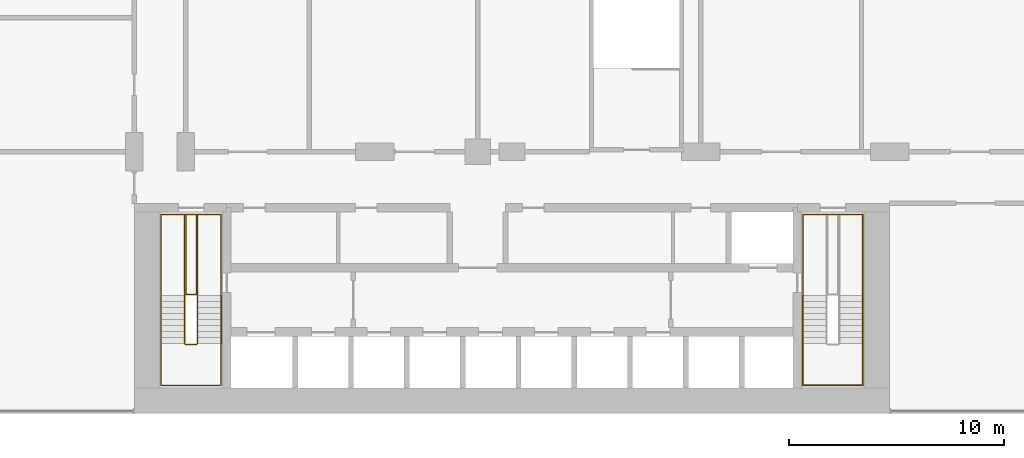
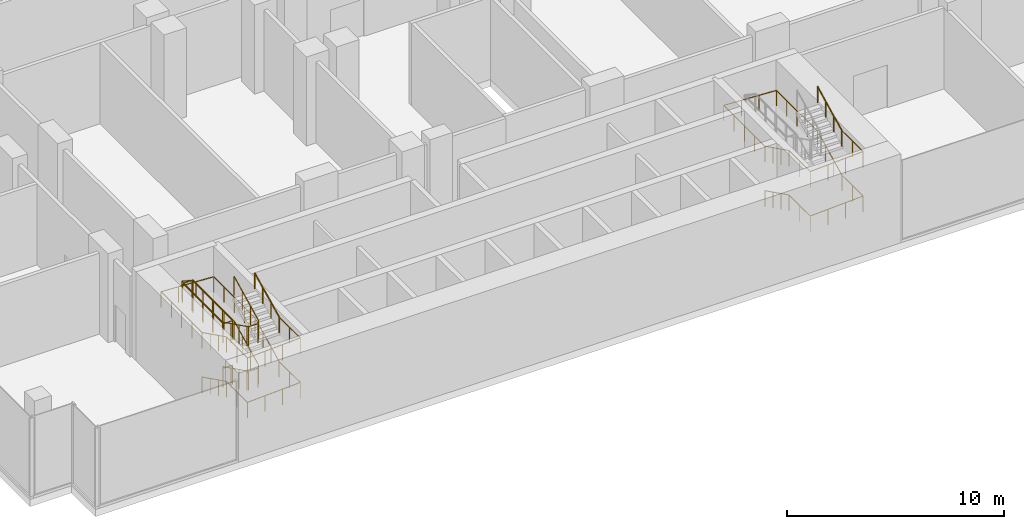
# One storey, part 24 of 27: 7 railings.
"""IFC4 building model written with IfcOpenShell, lengths in metres."""

from ifc_helpers import new_model, si_unit, direction, frame, origin, origin_2d, place, context, subcontext, project, spatial, circle, extrude, material, type_object, element, save


model = new_model("IFC4")

# Units and contexts
model_context = context("Model", 3, precision=1e-05, world=origin(), true_north=direction((0.0, 1.0)))
body_context = subcontext(model_context, "Body", "Model", "MODEL_VIEW")
ifc_project = project(units=[si_unit("LENGTHUNIT", "METRE"), si_unit("AREAUNIT", "SQUARE_METRE"), si_unit("VOLUMEUNIT", "CUBIC_METRE"), si_unit("PLANEANGLEUNIT", "RADIAN"), si_unit("MASSUNIT", "GRAM", prefix="KILO")], contexts=[model_context])

# Site, building, storey
site_placement = place(None, origin())
site = spatial("IfcSite", under=ifc_project, at=site_placement, CompositionType="ELEMENT")
building_placement = place(site_placement, origin())
building = spatial("IfcBuilding", under=site, at=building_placement, Name="Kemantara Hotel Tower", CompositionType="ELEMENT")
storey_placement = place(building_placement, frame((0.0, 0.0, 29.0)))
storey = spatial("IfcBuildingStorey", under=building, at=storey_placement, Name="L05", CompositionType="ELEMENT", Elevation=29.0)

# Railings
ifc_material = material(Name="Stainless steel balustrade", Category="steel")
railing_type_1 = type_object("IfcRailingType", Name="Stair guard 1100 mm", PredefinedType="GUARDRAIL", material=ifc_material)
railing_1_placement = place(storey_placement, frame((12.75, 5.5, 5.0)))
element("IfcRailing", 1, at=railing_1_placement, inside=storey, type_object=railing_type_1, Name="L05 ST1 stair guard 1", PredefinedType="GUARDRAIL", context=body_context, shape_type="SweptSolid", body=[
    extrude(circle(Radius=0.02392578125, at=origin_2d()), frame((0.0, 0.0, 1.076171875), z_axis=(0.0, -0.895848192791, -0.444360231651), x_axis=(1.0, 0.0, 0.0)), (0.0, 0.0, 1.0), 2.50048828125),
    extrude(circle(Radius=0.02392578125, at=origin_2d()), frame((0.0, -2.239990234375, -0.03515625), z_axis=(-0.321014310373, -0.321014310373, -0.891010451718), x_axis=(0.707106781187, -0.707106781187, 0.0)), (0.0, 0.0, 1.0), 0.156005859375),
    extrude(circle(Radius=0.02392578125, at=origin_2d()), frame((-0.050048828125, -2.2900390625, -0.173828125), z_axis=(-1.0, 0.0, 0.0), x_axis=(0.0, -1.0, 0.0)), (0.0, 0.0, 1.0), 0.5),
    extrude(circle(Radius=0.02392578125, at=origin_2d()), frame((-0.550048828125, -2.2900390625, -0.173828125), z_axis=(-0.707106781187, 0.707106781187, 0.0), x_axis=(-0.707106781187, -0.707106781187, 0.0)), (0.0, 0.0, 1.0), 0.07080078125),
    extrude(circle(Radius=0.02392578125, at=origin_2d()), frame((-0.60009765625, -2.239990234375, -0.173828125), z_axis=(0.0, 0.895848192791, -0.444360231651), x_axis=(-1.0, 0.0, 0.0)), (0.0, 0.0, 1.0), 2.50048828125),
    extrude(circle(Radius=0.02392578125, at=origin_2d()), frame((-0.60009765625, 0.0, -1.28515625), z_axis=(0.0, 1.0, 0.0), x_axis=(-1.0, 0.0, 0.0)), (0.0, 0.0, 1.0), 3.780029296875),
    extrude(circle(Radius=0.02392578125, at=origin_2d()), frame((-0.60009765625, 3.780029296875, -1.28515625), z_axis=(0.969557479204, 0.0, -0.244863828525), x_axis=(0.0, 1.0, 0.0)), (0.0, 0.0, 1.0), 0.5673828125),
    extrude(circle(Radius=0.02392578125, at=origin_2d()), frame((-0.050048828125, 3.780029296875, -1.423828125), z_axis=(0.0, -1.0, 0.0), x_axis=(1.0, 0.0, 0.0)), (0.0, 0.0, 1.0), 3.72998046875),
    extrude(circle(Radius=0.02392578125, at=origin_2d()), frame((-0.050048828125, 0.050048828125, -1.423828125), z_axis=(-1.0, 0.0, 0.0), x_axis=(0.0, -1.0, 0.0)), (0.0, 0.0, 1.0), 0.5),
    extrude(circle(Radius=0.02392578125, at=origin_2d()), frame((-0.550048828125, 0.050048828125, -1.423828125), z_axis=(0.0, 1.0, 0.0), x_axis=(-1.0, 0.0, 0.0)), (0.0, 0.0, 1.0), 3.72998046875),
    extrude(circle(Radius=0.02392578125, at=origin_2d()), frame((-0.550048828125, 3.780029296875, -1.423828125), z_axis=(1.0, 0.0, 0.0), x_axis=(0.0, 1.0, 0.0)), (0.0, 0.0, 1.0), 0.550048828125),
    extrude(circle(Radius=0.02392578125, at=origin_2d()), frame((0.0, 3.780029296875, -1.423828125), z_axis=(0.0, -1.0, 0.0), x_axis=(1.0, 0.0, 0.0)), (0.0, 0.0, 1.0), 3.780029296875),
    extrude(circle(Radius=0.02392578125, at=origin_2d()), frame((0.0, 0.0, -1.423828125), z_axis=(0.0, -0.895848192791, -0.444360231651), x_axis=(1.0, 0.0, 0.0)), (0.0, 0.0, 1.0), 2.50048828125),
    extrude(circle(Radius=0.02392578125, at=origin_2d()), frame((0.0, -2.239990234375, -2.53515625), z_axis=(-0.321014310373, -0.321014310373, -0.891010451718), x_axis=(0.707106781187, -0.707106781187, 0.0)), (0.0, 0.0, 1.0), 0.156005859375),
    extrude(circle(Radius=0.02392578125, at=origin_2d()), frame((-0.050048828125, -2.2900390625, -2.673828125), z_axis=(-1.0, 0.0, 0.0), x_axis=(0.0, -1.0, 0.0)), (0.0, 0.0, 1.0), 0.5),
    extrude(circle(Radius=0.02392578125, at=origin_2d()), frame((-0.550048828125, -2.2900390625, -2.673828125), z_axis=(-0.707106781187, 0.707106781187, 0.0), x_axis=(-0.707106781187, -0.707106781187, 0.0)), (0.0, 0.0, 1.0), 0.07080078125),
    extrude(circle(Radius=0.02392578125, at=origin_2d()), frame((-0.60009765625, -2.239990234375, -2.673828125), z_axis=(0.0, 0.895848192791, -0.444360231651), x_axis=(-1.0, 0.0, 0.0)), (0.0, 0.0, 1.0), 2.50048828125),
    extrude(circle(Radius=0.02392578125, at=origin_2d()), frame((-0.60009765625, 0.0, -3.78515625), z_axis=(0.321014310373, 0.321014310373, -0.891010451718), x_axis=(-0.707106781187, 0.707106781187, 0.0)), (0.0, 0.0, 1.0), 0.156005859375),
    extrude(circle(Radius=0.02392578125, at=origin_2d()), frame((-0.550048828125, 0.050048828125, -3.923828125), z_axis=(1.0, 0.0, 0.0), x_axis=(0.0, 1.0, 0.0)), (0.0, 0.0, 1.0), 0.5),
    extrude(circle(Radius=0.02099609375, at=origin_2d()), origin(), (0.0, 0.0, 1.0), 1.052001953125),
    extrude(circle(Radius=0.02099609375, at=origin_2d()), frame((0.0, -0.74658203125, -0.370361328125)), (0.0, 0.0, 1.0), 1.052001953125),
    extrude(circle(Radius=0.02099609375, at=origin_2d()), frame((0.0, -1.493408203125, -0.74072265625)), (0.0, 0.0, 1.0), 1.052001953125),
    extrude(circle(Radius=0.02099609375, at=origin_2d()), frame((0.0, -2.239990234375, -1.111083984375)), (0.0, 0.0, 1.0), 1.052001953125),
    extrude(circle(Radius=0.02099609375, at=origin_2d()), frame((-0.050048828125, -2.2900390625, -1.25)), (0.0, 0.0, 1.0), 1.052001953125),
    extrude(circle(Radius=0.02099609375, at=origin_2d()), frame((-0.550048828125, -2.2900390625, -1.25)), (0.0, 0.0, 1.0), 1.052001953125),
    extrude(circle(Radius=0.02099609375, at=origin_2d()), frame((-0.60009765625, -2.239990234375, -1.25)), (0.0, 0.0, 1.0), 1.052001953125),
    extrude(circle(Radius=0.02099609375, at=origin_2d()), frame((-0.60009765625, -1.493408203125, -1.620361328125)), (0.0, 0.0, 1.0), 1.052001953125),
    extrude(circle(Radius=0.02099609375, at=origin_2d()), frame((-0.60009765625, -0.74658203125, -1.99072265625)), (0.0, 0.0, 1.0), 1.052001953125),
    extrude(circle(Radius=0.02099609375, at=origin_2d()), frame((-0.60009765625, 0.0, -2.361083984375)), (0.0, 0.0, 1.0), 1.052001953125),
    extrude(circle(Radius=0.02099609375, at=origin_2d()), frame((-0.60009765625, 0.945068359375, -2.361083984375)), (0.0, 0.0, 1.0), 1.052001953125),
    extrude(circle(Radius=0.02099609375, at=origin_2d()), frame((-0.60009765625, 1.89013671875, -2.361083984375)), (0.0, 0.0, 1.0), 1.052001953125),
    extrude(circle(Radius=0.02099609375, at=origin_2d()), frame((-0.60009765625, 2.8349609375, -2.361083984375)), (0.0, 0.0, 1.0), 1.052001953125),
    extrude(circle(Radius=0.02099609375, at=origin_2d()), frame((-0.60009765625, 3.780029296875, -2.361083984375)), (0.0, 0.0, 1.0), 1.052001953125),
    extrude(circle(Radius=0.02099609375, at=origin_2d()), frame((-0.050048828125, 3.780029296875, -2.5)), (0.0, 0.0, 1.0), 1.052001953125),
    extrude(circle(Radius=0.02099609375, at=origin_2d()), frame((-0.050048828125, 2.84765625, -2.5)), (0.0, 0.0, 1.0), 1.052001953125),
    extrude(circle(Radius=0.02099609375, at=origin_2d()), frame((-0.050048828125, 1.9150390625, -2.5)), (0.0, 0.0, 1.0), 1.052001953125),
    extrude(circle(Radius=0.02099609375, at=origin_2d()), frame((-0.050048828125, 0.982421875, -2.5)), (0.0, 0.0, 1.0), 1.052001953125),
    extrude(circle(Radius=0.02099609375, at=origin_2d()), frame((-0.050048828125, 0.050048828125, -2.5)), (0.0, 0.0, 1.0), 1.052001953125),
    extrude(circle(Radius=0.02099609375, at=origin_2d()), frame((-0.550048828125, 0.050048828125, -2.5)), (0.0, 0.0, 1.0), 1.052001953125),
    extrude(circle(Radius=0.02099609375, at=origin_2d()), frame((-0.550048828125, 0.982421875, -2.5)), (0.0, 0.0, 1.0), 1.052001953125),
    extrude(circle(Radius=0.02099609375, at=origin_2d()), frame((-0.550048828125, 1.9150390625, -2.5)), (0.0, 0.0, 1.0), 1.052001953125),
    extrude(circle(Radius=0.02099609375, at=origin_2d()), frame((-0.550048828125, 2.84765625, -2.5)), (0.0, 0.0, 1.0), 1.052001953125),
    extrude(circle(Radius=0.02099609375, at=origin_2d()), frame((-0.550048828125, 3.780029296875, -2.5)), (0.0, 0.0, 1.0), 1.052001953125),
    extrude(circle(Radius=0.02099609375, at=origin_2d()), frame((0.0, 3.780029296875, -2.5)), (0.0, 0.0, 1.0), 1.052001953125),
    extrude(circle(Radius=0.02099609375, at=origin_2d()), frame((0.0, 2.8349609375, -2.5)), (0.0, 0.0, 1.0), 1.052001953125),
    extrude(circle(Radius=0.02099609375, at=origin_2d()), frame((0.0, 1.89013671875, -2.5)), (0.0, 0.0, 1.0), 1.052001953125),
    extrude(circle(Radius=0.02099609375, at=origin_2d()), frame((0.0, 0.945068359375, -2.5)), (0.0, 0.0, 1.0), 1.052001953125),
    extrude(circle(Radius=0.02099609375, at=origin_2d()), frame((0.0, 0.0, -2.5)), (0.0, 0.0, 1.0), 1.052001953125),
    extrude(circle(Radius=0.02099609375, at=origin_2d()), frame((0.0, -0.74658203125, -2.870361328125)), (0.0, 0.0, 1.0), 1.052001953125),
    extrude(circle(Radius=0.02099609375, at=origin_2d()), frame((0.0, -1.493408203125, -3.24072265625)), (0.0, 0.0, 1.0), 1.052001953125),
    extrude(circle(Radius=0.02099609375, at=origin_2d()), frame((0.0, -2.239990234375, -3.611083984375)), (0.0, 0.0, 1.0), 1.052001953125),
    extrude(circle(Radius=0.02099609375, at=origin_2d()), frame((-0.050048828125, -2.2900390625, -3.75)), (0.0, 0.0, 1.0), 1.052001953125),
    extrude(circle(Radius=0.02099609375, at=origin_2d()), frame((-0.550048828125, -2.2900390625, -3.75)), (0.0, 0.0, 1.0), 1.052001953125),
    extrude(circle(Radius=0.02099609375, at=origin_2d()), frame((-0.60009765625, -2.239990234375, -3.75)), (0.0, 0.0, 1.0), 1.052001953125),
    extrude(circle(Radius=0.02099609375, at=origin_2d()), frame((-0.60009765625, -1.493408203125, -4.120361328125)), (0.0, 0.0, 1.0), 1.052001953125),
    extrude(circle(Radius=0.02099609375, at=origin_2d()), frame((-0.60009765625, -0.74658203125, -4.49072265625)), (0.0, 0.0, 1.0), 1.052001953125),
    extrude(circle(Radius=0.02099609375, at=origin_2d()), frame((-0.60009765625, 0.0, -4.861083984375)), (0.0, 0.0, 1.0), 1.052001953125),
    extrude(circle(Radius=0.02099609375, at=origin_2d()), frame((-0.550048828125, 0.050048828125, -5.0)), (0.0, 0.0, 1.0), 1.052001953125),
    extrude(circle(Radius=0.02099609375, at=origin_2d()), frame((-0.050048828125, 0.050048828125, -5.0)), (0.0, 0.0, 1.0), 1.052001953125),
])
railing_type_2 = type_object("IfcRailingType", Name="Stair handrail 900 mm", PredefinedType="HANDRAIL", material=ifc_material)
railing_2_placement = place(storey_placement, frame((11.050048828125, 5.5, 0.138916015625)))
element("IfcRailing", 2, at=railing_2_placement, inside=storey, type_object=railing_type_2, Name="L05 ST1 stair handrail 1", PredefinedType="HANDRAIL", context=body_context, shape_type="SweptSolid", body=[
    extrude(circle(Radius=0.02392578125, at=origin_2d()), frame((0.0, 0.0, 0.8759765625), z_axis=(0.0, -0.895848192791, 0.444360231651), x_axis=(1.0, 0.0, 0.0)), (0.0, 0.0, 1.0), 2.50048828125),
    extrude(circle(Radius=0.02392578125, at=origin_2d()), frame((0.0, -2.239990234375, 1.98681640625), z_axis=(0.0, -1.0, 0.0), x_axis=(1.0, 0.0, 0.0)), (0.0, 0.0, 1.0), 1.93994140625),
    extrude(circle(Radius=0.02392578125, at=origin_2d()), frame((0.0, -4.179931640625, 1.98681640625), z_axis=(0.998771592041, 0.0, 0.049551053786), x_axis=(0.0, 1.0, 0.0)), (0.0, 0.0, 1.0), 2.803466796875),
    extrude(circle(Radius=0.02392578125, at=origin_2d()), frame((2.800048828125, -4.179931640625, 2.1259765625), z_axis=(0.0, 1.0, 0.0), x_axis=(-1.0, 0.0, 0.0)), (0.0, 0.0, 1.0), 1.93994140625),
    extrude(circle(Radius=0.02392578125, at=origin_2d()), frame((2.800048828125, -2.239990234375, 2.1259765625), z_axis=(0.0, 0.895848192791, 0.444360231651), x_axis=(-1.0, 0.0, 0.0)), (0.0, 0.0, 1.0), 2.50048828125),
    extrude(circle(Radius=0.02099609375, at=origin_2d()), origin(), (0.0, 0.0, 1.0), 0.851806640625),
    extrude(circle(Radius=0.02099609375, at=origin_2d()), frame((0.0, -0.74658203125, 0.370361328125)), (0.0, 0.0, 1.0), 0.851806640625),
    extrude(circle(Radius=0.02099609375, at=origin_2d()), frame((0.0, -1.493408203125, 0.74072265625)), (0.0, 0.0, 1.0), 0.851806640625),
    extrude(circle(Radius=0.02099609375, at=origin_2d()), frame((0.0, -2.239990234375, 1.111083984375)), (0.0, 0.0, 1.0), 0.851806640625),
    extrude(circle(Radius=0.02099609375, at=origin_2d()), frame((0.0, -3.2099609375, 1.111083984375)), (0.0, 0.0, 1.0), 0.851806640625),
    extrude(circle(Radius=0.02099609375, at=origin_2d()), frame((0.0, -4.179931640625, 1.111083984375)), (0.0, 0.0, 1.0), 0.851806640625),
    extrude(circle(Radius=0.02099609375, at=origin_2d()), frame((0.933349609375, -4.179931640625, 1.157470703125)), (0.0, 0.0, 1.0), 0.851806640625),
    extrude(circle(Radius=0.02099609375, at=origin_2d()), frame((1.86669921875, -4.179931640625, 1.20361328125)), (0.0, 0.0, 1.0), 0.851806640625),
    extrude(circle(Radius=0.02099609375, at=origin_2d()), frame((2.800048828125, -4.179931640625, 1.25)), (0.0, 0.0, 1.0), 0.851806640625),
    extrude(circle(Radius=0.02099609375, at=origin_2d()), frame((2.800048828125, -3.2099609375, 1.25)), (0.0, 0.0, 1.0), 0.851806640625),
    extrude(circle(Radius=0.02099609375, at=origin_2d()), frame((2.800048828125, -2.239990234375, 1.25)), (0.0, 0.0, 1.0), 0.851806640625),
    extrude(circle(Radius=0.02099609375, at=origin_2d()), frame((2.800048828125, -1.493408203125, 1.620361328125)), (0.0, 0.0, 1.0), 0.851806640625),
    extrude(circle(Radius=0.02099609375, at=origin_2d()), frame((2.800048828125, -0.74658203125, 1.99072265625)), (0.0, 0.0, 1.0), 0.851806640625),
    extrude(circle(Radius=0.02099609375, at=origin_2d()), frame((2.800048828125, 0.0, 2.361083984375)), (0.0, 0.0, 1.0), 0.851806640625),
])
railing_3_placement = place(storey_placement, frame((13.85009765625, 5.5, 2.5)))
element("IfcRailing", 3, at=railing_3_placement, inside=storey, type_object=railing_type_2, Name="L05 ST1 stair handrail 2", PredefinedType="HANDRAIL", context=body_context, shape_type="SweptSolid", body=[
    extrude(circle(Radius=0.02392578125, at=origin_2d()), frame((0.0, 0.0, 0.8759765625), z_axis=(0.0, 1.0, 0.0), x_axis=(-1.0, 0.0, 0.0)), (0.0, 0.0, 1.0), 3.780029296875),
    extrude(circle(Radius=0.02392578125, at=origin_2d()), frame((0.0, 3.780029296875, 0.8759765625), z_axis=(-0.998771592041, 0.0, 0.049551053786), x_axis=(0.0, -1.0, 0.0)), (0.0, 0.0, 1.0), 2.803466796875),
    extrude(circle(Radius=0.02392578125, at=origin_2d()), frame((-2.800048828125, 3.780029296875, 1.0146484375), z_axis=(0.0, -1.0, 0.0), x_axis=(1.0, 0.0, 0.0)), (0.0, 0.0, 1.0), 3.780029296875),
    extrude(circle(Radius=0.02392578125, at=origin_2d()), frame((-2.800048828125, 0.0, 1.0146484375), z_axis=(0.0, -0.895848192791, 0.444360231651), x_axis=(1.0, 0.0, 0.0)), (0.0, 0.0, 1.0), 2.50048828125),
    extrude(circle(Radius=0.02392578125, at=origin_2d()), frame((-2.800048828125, -2.239990234375, 2.1259765625), z_axis=(0.0, -1.0, 0.0), x_axis=(1.0, 0.0, 0.0)), (0.0, 0.0, 1.0), 1.93994140625),
    extrude(circle(Radius=0.02392578125, at=origin_2d()), frame((-2.800048828125, -4.179931640625, 2.1259765625), z_axis=(0.998771592041, 0.0, 0.049551053786), x_axis=(0.0, 1.0, 0.0)), (0.0, 0.0, 1.0), 2.803466796875),
    extrude(circle(Radius=0.02392578125, at=origin_2d()), frame((0.0, -4.179931640625, 2.2646484375), z_axis=(0.0, 1.0, 0.0), x_axis=(-1.0, 0.0, 0.0)), (0.0, 0.0, 1.0), 1.93994140625),
    extrude(circle(Radius=0.02099609375, at=origin_2d()), origin(), (0.0, 0.0, 1.0), 0.851806640625),
    extrude(circle(Radius=0.02099609375, at=origin_2d()), frame((0.0, 0.945068359375, 0.0)), (0.0, 0.0, 1.0), 0.851806640625),
    extrude(circle(Radius=0.02099609375, at=origin_2d()), frame((0.0, 1.89013671875, 0.0)), (0.0, 0.0, 1.0), 0.851806640625),
    extrude(circle(Radius=0.02099609375, at=origin_2d()), frame((0.0, 2.8349609375, 0.0)), (0.0, 0.0, 1.0), 0.851806640625),
    extrude(circle(Radius=0.02099609375, at=origin_2d()), frame((0.0, 3.780029296875, 0.0)), (0.0, 0.0, 1.0), 0.851806640625),
    extrude(circle(Radius=0.02099609375, at=origin_2d()), frame((-0.933349609375, 3.780029296875, 0.04638671875)), (0.0, 0.0, 1.0), 0.851806640625),
    extrude(circle(Radius=0.02099609375, at=origin_2d()), frame((-1.86669921875, 3.780029296875, 0.092529296875)), (0.0, 0.0, 1.0), 0.851806640625),
    extrude(circle(Radius=0.02099609375, at=origin_2d()), frame((-2.800048828125, 3.780029296875, 0.138916015625)), (0.0, 0.0, 1.0), 0.851806640625),
    extrude(circle(Radius=0.02099609375, at=origin_2d()), frame((-2.800048828125, 2.8349609375, 0.138916015625)), (0.0, 0.0, 1.0), 0.851806640625),
    extrude(circle(Radius=0.02099609375, at=origin_2d()), frame((-2.800048828125, 1.89013671875, 0.138916015625)), (0.0, 0.0, 1.0), 0.851806640625),
    extrude(circle(Radius=0.02099609375, at=origin_2d()), frame((-2.800048828125, 0.945068359375, 0.138916015625)), (0.0, 0.0, 1.0), 0.851806640625),
    extrude(circle(Radius=0.02099609375, at=origin_2d()), frame((-2.800048828125, 0.0, 0.138916015625)), (0.0, 0.0, 1.0), 0.851806640625),
    extrude(circle(Radius=0.02099609375, at=origin_2d()), frame((-2.800048828125, -0.74658203125, 0.50927734375)), (0.0, 0.0, 1.0), 0.851806640625),
    extrude(circle(Radius=0.02099609375, at=origin_2d()), frame((-2.800048828125, -1.493408203125, 0.879638671875)), (0.0, 0.0, 1.0), 0.851806640625),
    extrude(circle(Radius=0.02099609375, at=origin_2d()), frame((-2.800048828125, -2.239990234375, 1.25)), (0.0, 0.0, 1.0), 0.851806640625),
    extrude(circle(Radius=0.02099609375, at=origin_2d()), frame((-2.800048828125, -3.2099609375, 1.25)), (0.0, 0.0, 1.0), 0.851806640625),
    extrude(circle(Radius=0.02099609375, at=origin_2d()), frame((-2.800048828125, -4.179931640625, 1.25)), (0.0, 0.0, 1.0), 0.851806640625),
    extrude(circle(Radius=0.02099609375, at=origin_2d()), frame((-1.86669921875, -4.179931640625, 1.29638671875)), (0.0, 0.0, 1.0), 0.851806640625),
    extrude(circle(Radius=0.02099609375, at=origin_2d()), frame((-0.933349609375, -4.179931640625, 1.342529296875)), (0.0, 0.0, 1.0), 0.851806640625),
    extrude(circle(Radius=0.02099609375, at=origin_2d()), frame((0.0, -4.179931640625, 1.388916015625)), (0.0, 0.0, 1.0), 0.851806640625),
    extrude(circle(Radius=0.02099609375, at=origin_2d()), frame((0.0, -3.2099609375, 1.388916015625)), (0.0, 0.0, 1.0), 0.851806640625),
    extrude(circle(Radius=0.02099609375, at=origin_2d()), frame((0.0, -2.239990234375, 1.388916015625)), (0.0, 0.0, 1.0), 0.851806640625),
])
railing_4_placement = place(storey_placement, frame((13.85009765625, 3.260009765625, 3.888916015625)))
element("IfcRailing", 4, at=railing_4_placement, inside=storey, type_object=railing_type_2, Name="L05 ST1 stair handrail 3", PredefinedType="HANDRAIL", context=body_context, shape_type="SweptSolid", body=[
    extrude(circle(Radius=0.02392578125, at=origin_2d()), frame((0.0, 0.0, 0.8759765625), z_axis=(0.0, 0.895848192791, 0.444360231651), x_axis=(-1.0, 0.0, 0.0)), (0.0, 0.0, 1.0), 2.50048828125),
    extrude(circle(Radius=0.02099609375, at=origin_2d()), origin(), (0.0, 0.0, 1.0), 0.851806640625),
    extrude(circle(Radius=0.02099609375, at=origin_2d()), frame((0.0, 0.74658203125, 0.370361328125)), (0.0, 0.0, 1.0), 0.851806640625),
    extrude(circle(Radius=0.02099609375, at=origin_2d()), frame((0.0, 1.493408203125, 0.74072265625)), (0.0, 0.0, 1.0), 0.851806640625),
    extrude(circle(Radius=0.02099609375, at=origin_2d()), frame((0.0, 2.239990234375, 1.111083984375)), (0.0, 0.0, 1.0), 0.851806640625),
])
railing_5_placement = place(storey_placement, frame((40.949951171875, 5.5, 0.138916015625)))
element("IfcRailing", 5, at=railing_5_placement, inside=storey, type_object=railing_type_2, Name="L05 ST2 stair handrail 1", PredefinedType="HANDRAIL", context=body_context, shape_type="SweptSolid", body=[
    extrude(circle(Radius=0.02392578125, at=origin_2d()), frame((0.0, 0.0, 0.8759765625), z_axis=(0.0, -0.895848192791, 0.444360231651), x_axis=(1.0, 0.0, 0.0)), (0.0, 0.0, 1.0), 2.50048828125),
    extrude(circle(Radius=0.02392578125, at=origin_2d()), frame((0.0, -2.239990234375, 1.98681640625), z_axis=(0.0, -1.0, 0.0), x_axis=(1.0, 0.0, 0.0)), (0.0, 0.0, 1.0), 1.93994140625),
    extrude(circle(Radius=0.02392578125, at=origin_2d()), frame((0.0, -4.179931640625, 1.98681640625), z_axis=(0.998771592041, 0.0, 0.049551053786), x_axis=(0.0, 1.0, 0.0)), (0.0, 0.0, 1.0), 2.803466796875),
    extrude(circle(Radius=0.02392578125, at=origin_2d()), frame((2.800048828125, -4.179931640625, 2.1259765625), z_axis=(0.0, 1.0, 0.0), x_axis=(-1.0, 0.0, 0.0)), (0.0, 0.0, 1.0), 1.93994140625),
    extrude(circle(Radius=0.02392578125, at=origin_2d()), frame((2.800048828125, -2.239990234375, 2.1259765625), z_axis=(0.0, 0.895848192791, 0.444360231651), x_axis=(-1.0, 0.0, 0.0)), (0.0, 0.0, 1.0), 2.50048828125),
    extrude(circle(Radius=0.02392578125, at=origin_2d()), frame((2.800048828125, 0.0, 3.23681640625), z_axis=(0.0, 1.0, 0.0), x_axis=(-1.0, 0.0, 0.0)), (0.0, 0.0, 1.0), 3.780029296875),
    extrude(circle(Radius=0.02099609375, at=origin_2d()), origin(), (0.0, 0.0, 1.0), 0.851806640625),
    extrude(circle(Radius=0.02099609375, at=origin_2d()), frame((0.0, -0.74658203125, 0.370361328125)), (0.0, 0.0, 1.0), 0.851806640625),
    extrude(circle(Radius=0.02099609375, at=origin_2d()), frame((0.0, -1.493408203125, 0.74072265625)), (0.0, 0.0, 1.0), 0.851806640625),
    extrude(circle(Radius=0.02099609375, at=origin_2d()), frame((0.0, -2.239990234375, 1.111083984375)), (0.0, 0.0, 1.0), 0.851806640625),
    extrude(circle(Radius=0.02099609375, at=origin_2d()), frame((0.0, -3.2099609375, 1.111083984375)), (0.0, 0.0, 1.0), 0.851806640625),
    extrude(circle(Radius=0.02099609375, at=origin_2d()), frame((0.0, -4.179931640625, 1.111083984375)), (0.0, 0.0, 1.0), 0.851806640625),
    extrude(circle(Radius=0.02099609375, at=origin_2d()), frame((0.933349609375, -4.179931640625, 1.157470703125)), (0.0, 0.0, 1.0), 0.851806640625),
    extrude(circle(Radius=0.02099609375, at=origin_2d()), frame((1.86669921875, -4.179931640625, 1.20361328125)), (0.0, 0.0, 1.0), 0.851806640625),
    extrude(circle(Radius=0.02099609375, at=origin_2d()), frame((2.800048828125, -4.179931640625, 1.25)), (0.0, 0.0, 1.0), 0.851806640625),
    extrude(circle(Radius=0.02099609375, at=origin_2d()), frame((2.800048828125, -3.2099609375, 1.25)), (0.0, 0.0, 1.0), 0.851806640625),
    extrude(circle(Radius=0.02099609375, at=origin_2d()), frame((2.800048828125, -2.239990234375, 1.25)), (0.0, 0.0, 1.0), 0.851806640625),
    extrude(circle(Radius=0.02099609375, at=origin_2d()), frame((2.800048828125, -1.493408203125, 1.620361328125)), (0.0, 0.0, 1.0), 0.851806640625),
    extrude(circle(Radius=0.02099609375, at=origin_2d()), frame((2.800048828125, -0.74658203125, 1.99072265625)), (0.0, 0.0, 1.0), 0.851806640625),
    extrude(circle(Radius=0.02099609375, at=origin_2d()), frame((2.800048828125, 0.0, 2.361083984375)), (0.0, 0.0, 1.0), 0.851806640625),
    extrude(circle(Radius=0.02099609375, at=origin_2d()), frame((2.800048828125, 0.945068359375, 2.361083984375)), (0.0, 0.0, 1.0), 0.851806640625),
    extrude(circle(Radius=0.02099609375, at=origin_2d()), frame((2.800048828125, 1.89013671875, 2.361083984375)), (0.0, 0.0, 1.0), 0.851806640625),
    extrude(circle(Radius=0.02099609375, at=origin_2d()), frame((2.800048828125, 2.8349609375, 2.361083984375)), (0.0, 0.0, 1.0), 0.851806640625),
    extrude(circle(Radius=0.02099609375, at=origin_2d()), frame((2.800048828125, 3.780029296875, 2.361083984375)), (0.0, 0.0, 1.0), 0.851806640625),
])
railing_6_placement = place(storey_placement, frame((43.75, 9.280029296875, 2.5)))
element("IfcRailing", 6, at=railing_6_placement, inside=storey, type_object=railing_type_2, Name="L05 ST2 stair handrail 2", PredefinedType="HANDRAIL", context=body_context, shape_type="SweptSolid", body=[
    extrude(circle(Radius=0.02392578125, at=origin_2d()), frame((0.0, 0.0, 0.8759765625), z_axis=(-0.998771592041, 0.0, 0.049551053786), x_axis=(0.0, -1.0, 0.0)), (0.0, 0.0, 1.0), 2.803466796875),
    extrude(circle(Radius=0.02392578125, at=origin_2d()), frame((-2.800048828125, 0.0, 1.0146484375), z_axis=(0.0, -1.0, 0.0), x_axis=(1.0, 0.0, 0.0)), (0.0, 0.0, 1.0), 3.780029296875),
    extrude(circle(Radius=0.02392578125, at=origin_2d()), frame((-2.800048828125, -3.780029296875, 1.0146484375), z_axis=(0.0, -0.895848192791, 0.444360231651), x_axis=(1.0, 0.0, 0.0)), (0.0, 0.0, 1.0), 2.50048828125),
    extrude(circle(Radius=0.02392578125, at=origin_2d()), frame((-2.800048828125, -6.02001953125, 2.1259765625), z_axis=(0.0, -1.0, 0.0), x_axis=(1.0, 0.0, 0.0)), (0.0, 0.0, 1.0), 1.93994140625),
    extrude(circle(Radius=0.02392578125, at=origin_2d()), frame((-2.800048828125, -7.9599609375, 2.1259765625), z_axis=(0.998771592041, 0.0, 0.049551053786), x_axis=(0.0, 1.0, 0.0)), (0.0, 0.0, 1.0), 2.803466796875),
    extrude(circle(Radius=0.02392578125, at=origin_2d()), frame((0.0, -7.9599609375, 2.2646484375), z_axis=(0.0, 1.0, 0.0), x_axis=(-1.0, 0.0, 0.0)), (0.0, 0.0, 1.0), 1.93994140625),
    extrude(circle(Radius=0.02099609375, at=origin_2d()), origin(), (0.0, 0.0, 1.0), 0.851806640625),
    extrude(circle(Radius=0.02099609375, at=origin_2d()), frame((-0.933349609375, 0.0, 0.04638671875)), (0.0, 0.0, 1.0), 0.851806640625),
    extrude(circle(Radius=0.02099609375, at=origin_2d()), frame((-1.86669921875, 0.0, 0.092529296875)), (0.0, 0.0, 1.0), 0.851806640625),
    extrude(circle(Radius=0.02099609375, at=origin_2d()), frame((-2.800048828125, 0.0, 0.138916015625)), (0.0, 0.0, 1.0), 0.851806640625),
    extrude(circle(Radius=0.02099609375, at=origin_2d()), frame((-2.800048828125, -0.945068359375, 0.138916015625)), (0.0, 0.0, 1.0), 0.851806640625),
    extrude(circle(Radius=0.02099609375, at=origin_2d()), frame((-2.800048828125, -1.89013671875, 0.138916015625)), (0.0, 0.0, 1.0), 0.851806640625),
    extrude(circle(Radius=0.02099609375, at=origin_2d()), frame((-2.800048828125, -2.8349609375, 0.138916015625)), (0.0, 0.0, 1.0), 0.851806640625),
    extrude(circle(Radius=0.02099609375, at=origin_2d()), frame((-2.800048828125, -3.780029296875, 0.138916015625)), (0.0, 0.0, 1.0), 0.851806640625),
    extrude(circle(Radius=0.02099609375, at=origin_2d()), frame((-2.800048828125, -4.526611328125, 0.50927734375)), (0.0, 0.0, 1.0), 0.851806640625),
    extrude(circle(Radius=0.02099609375, at=origin_2d()), frame((-2.800048828125, -5.2734375, 0.879638671875)), (0.0, 0.0, 1.0), 0.851806640625),
    extrude(circle(Radius=0.02099609375, at=origin_2d()), frame((-2.800048828125, -6.02001953125, 1.25)), (0.0, 0.0, 1.0), 0.851806640625),
    extrude(circle(Radius=0.02099609375, at=origin_2d()), frame((-2.800048828125, -6.989990234375, 1.25)), (0.0, 0.0, 1.0), 0.851806640625),
    extrude(circle(Radius=0.02099609375, at=origin_2d()), frame((-2.800048828125, -7.9599609375, 1.25)), (0.0, 0.0, 1.0), 0.851806640625),
    extrude(circle(Radius=0.02099609375, at=origin_2d()), frame((-1.86669921875, -7.9599609375, 1.29638671875)), (0.0, 0.0, 1.0), 0.851806640625),
    extrude(circle(Radius=0.02099609375, at=origin_2d()), frame((-0.933349609375, -7.9599609375, 1.342529296875)), (0.0, 0.0, 1.0), 0.851806640625),
    extrude(circle(Radius=0.02099609375, at=origin_2d()), frame((0.0, -7.9599609375, 1.388916015625)), (0.0, 0.0, 1.0), 0.851806640625),
    extrude(circle(Radius=0.02099609375, at=origin_2d()), frame((0.0, -6.989990234375, 1.388916015625)), (0.0, 0.0, 1.0), 0.851806640625),
    extrude(circle(Radius=0.02099609375, at=origin_2d()), frame((0.0, -6.02001953125, 1.388916015625)), (0.0, 0.0, 1.0), 0.851806640625),
])
railing_7_placement = place(storey_placement, frame((43.75, 3.260009765625, 3.888916015625)))
element("IfcRailing", 7, at=railing_7_placement, inside=storey, type_object=railing_type_2, Name="L05 ST2 stair handrail 3", PredefinedType="HANDRAIL", context=body_context, shape_type="SweptSolid", body=[
    extrude(circle(Radius=0.02392578125, at=origin_2d()), frame((0.0, 0.0, 0.8759765625), z_axis=(0.0, 0.895848192791, 0.444360231651), x_axis=(-1.0, 0.0, 0.0)), (0.0, 0.0, 1.0), 2.50048828125),
    extrude(circle(Radius=0.02099609375, at=origin_2d()), origin(), (0.0, 0.0, 1.0), 0.851806640625),
    extrude(circle(Radius=0.02099609375, at=origin_2d()), frame((0.0, 0.74658203125, 0.370361328125)), (0.0, 0.0, 1.0), 0.851806640625),
    extrude(circle(Radius=0.02099609375, at=origin_2d()), frame((0.0, 1.493408203125, 0.74072265625)), (0.0, 0.0, 1.0), 0.851806640625),
    extrude(circle(Radius=0.02099609375, at=origin_2d()), frame((0.0, 2.239990234375, 1.111083984375)), (0.0, 0.0, 1.0), 0.851806640625),
])

save(model, "model.ifc")
